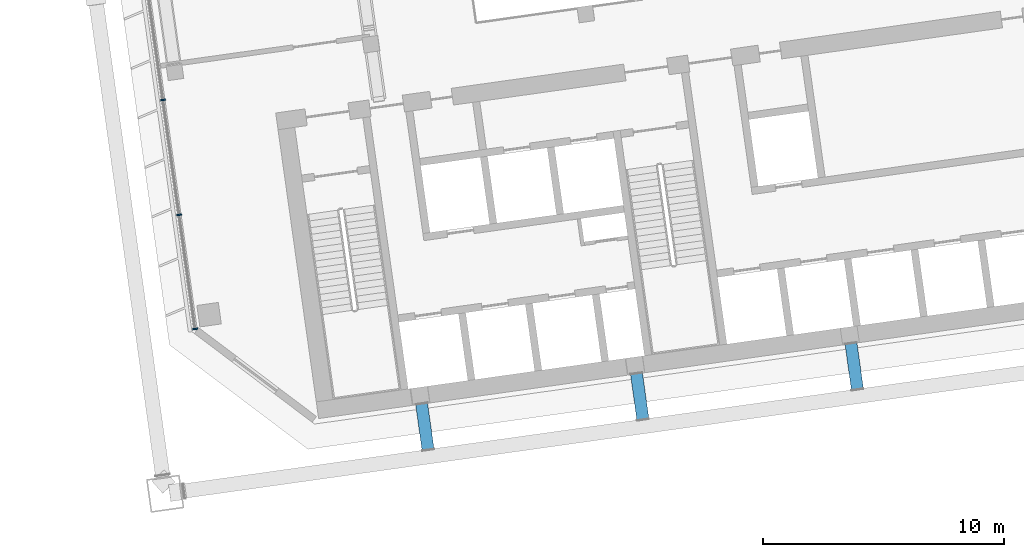
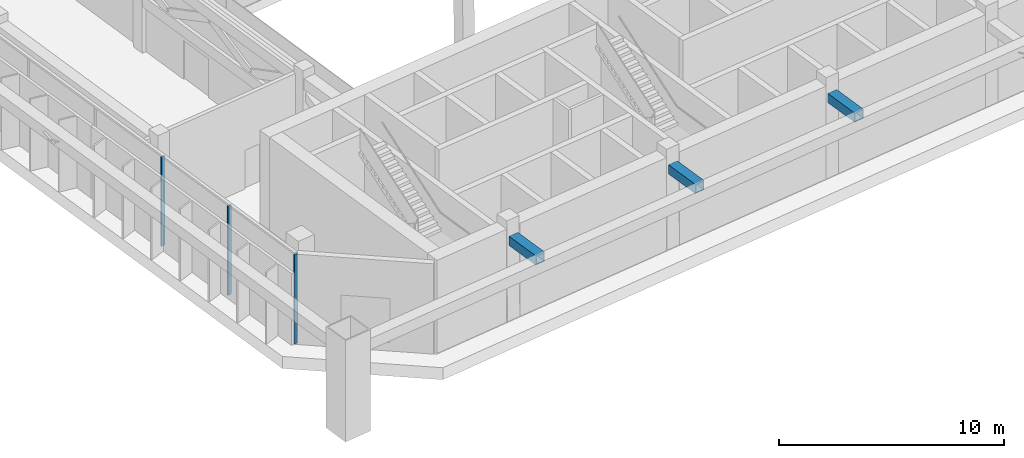
# One storey, part 12 of 41: 6 members, 1 element without a shape of its own.
"""IFC4 building model written with IfcOpenShell, lengths in metres."""

from ifc_helpers import new_model, si_unit, direction, frame, origin, origin_2d, place, context, subcontext, project, spatial, rectangle, hollow_rectangle, extrude, material, material_profile, profile_set, type_object, element, aggregate, save


model = new_model("IFC4")

# Units and contexts
model_context = context("Model", 3, precision=1e-05, world=origin(), true_north=direction((0.0, 1.0)))
body_context = subcontext(model_context, "Body", "Model", "MODEL_VIEW")
ifc_project = project(units=[si_unit("LENGTHUNIT", "METRE"), si_unit("AREAUNIT", "SQUARE_METRE"), si_unit("VOLUMEUNIT", "CUBIC_METRE"), si_unit("PLANEANGLEUNIT", "RADIAN"), si_unit("MASSUNIT", "GRAM", prefix="KILO")], contexts=[model_context])

# Site, building, storey
site_placement = place(None, origin())
site = spatial("IfcSite", under=ifc_project, at=site_placement, CompositionType="ELEMENT")
building_placement = place(site_placement, origin())
building = spatial("IfcBuilding", under=site, at=building_placement, Name="Mirante Cascada Hotel Towers", CompositionType="ELEMENT")
storey_placement = place(building_placement, frame((0.0, 0.0, 151.9)))
storey = spatial("IfcBuildingStorey", under=building, at=storey_placement, Name="L35", CompositionType="ELEMENT", Elevation=151.9)

# Members
ifc_material_1 = material(Name="Steel ASTM A572 Gr 50", Category="steel")
ifc_material_profile_1 = material_profile(ifc_material_1, hollow_rectangle(XDim=0.5, YDim=0.5, WallThickness=0.035, at=origin_2d()), Name="Box tie 500x500x35 ASTM A572 Gr 50")
ifc_profile_set_1 = profile_set([ifc_material_profile_1], Name="Steel ASTM A572 Gr 50")
member_type_1 = type_object("IfcMemberType", Name="Box tie 500x500x35 ASTM A572 Gr 50", PredefinedType="STRUT", material=ifc_profile_set_1)
member_1_placement = place(storey_placement, frame((41.5409, -19.3426, 4.35), z_axis=(0.1391766, -0.9902676, 0.0), x_axis=(0.9902676, 0.1391766, 0.0)))
element("IfcMember", 1, at=member_1_placement, inside=storey, type_object=member_type_1, Name="tie T2 L35 2", PredefinedType="STRUT", context=body_context, shape_type="SweptSolid", body=[
    extrude(hollow_rectangle(XDim=0.5, YDim=0.5, WallThickness=0.035, at=origin_2d()), origin(), (0.0, 0.0, 1.0), 1.94),
])
member_2_placement = place(storey_placement, frame((50.4534, -18.09, 4.35), z_axis=(0.139119, -0.9902757, 0.0), x_axis=(0.9902757, 0.139119, 0.0)))
element("IfcMember", 2, at=member_2_placement, inside=storey, type_object=member_type_1, Name="tie T2 L35 4", PredefinedType="STRUT", context=body_context, shape_type="SweptSolid", body=[
    extrude(hollow_rectangle(XDim=0.5, YDim=0.5, WallThickness=0.035, at=origin_2d()), origin(), (0.0, 0.0, 1.0), 1.9401),
])
member_3_placement = place(storey_placement, frame((59.3509, -16.8396, 4.35), z_axis=(0.1391766, -0.9902676, 0.0), x_axis=(0.9902676, 0.1391766, 0.0)))
element("IfcMember", 3, at=member_3_placement, inside=storey, type_object=member_type_1, Name="tie T2 L35 6", PredefinedType="STRUT", context=body_context, shape_type="SweptSolid", body=[
    extrude(hollow_rectangle(XDim=0.5, YDim=0.5, WallThickness=0.035, at=origin_2d()), origin(), (0.0, 0.0, 1.0), 1.94),
])

# Curtain wall, members
ifc_material_2 = material(Name="Aluminium mullion and transom frame with clear laminated glass", Category="aluminium")
curtain_wall_type = type_object("IfcCurtainWallType", Name="End ribbon curtain wall ECW2", PredefinedType="NOTDEFINED", material=ifc_material_2)
curtain_wall_placement = place(storey_placement, origin())
curtain_wall = element("IfcCurtainWall", 4, at=curtain_wall_placement, inside=storey, type_object=curtain_wall_type, Name="Inner end wall T2 L35", PredefinedType="NOTDEFINED")
ifc_material_3 = material(Name="Anodised aluminium extrusion", Category="aluminium")
ifc_material_profile_2 = material_profile(ifc_material_3, rectangle(XDim=0.2, YDim=0.065, at=origin_2d()), Name="ECW2 MULLION 65x200")
ifc_profile_set_2 = profile_set([ifc_material_profile_2], Name="Anodised aluminium extrusion")
member_type_2 = type_object("IfcMemberType", Name="ECW2 mullion 65x200", PredefinedType="MULLION", material=ifc_profile_set_2)
member_4_placement = place(storey_placement, frame((30.8183, -6.7449, 0.1), z_axis=(0.0, 0.0, 1.0), x_axis=(0.9902681, 0.1391731, 0.0)))
member_4 = element("IfcMember", 5, at=member_4_placement, type_object=member_type_2, Name="ECW2 mullion 5", PredefinedType="MULLION", context=body_context, shape_type="SweptSolid", body=[
    extrude(rectangle(XDim=0.2, YDim=0.065, at=origin_2d()), origin(), (0.0, 0.0, 1.0), 4.85),
])
member_5_placement = place(storey_placement, frame((31.4881, -11.5107, 0.1), z_axis=(0.0, 0.0, 1.0), x_axis=(0.9902681, 0.1391731, 0.0)))
member_5 = element("IfcMember", 6, at=member_5_placement, type_object=member_type_2, Name="ECW2 mullion 6", PredefinedType="MULLION", context=body_context, shape_type="SweptSolid", body=[
    extrude(rectangle(XDim=0.2, YDim=0.065, at=origin_2d()), origin(), (0.0, 0.0, 1.0), 4.85),
])
member_6_placement = place(storey_placement, frame((32.1534, -16.2443, 0.1), z_axis=(0.0, 0.0, 1.0), x_axis=(0.9902681, 0.1391731, 0.0)))
member_6 = element("IfcMember", 7, at=member_6_placement, type_object=member_type_2, Name="ECW2 mullion 7", PredefinedType="MULLION", context=body_context, shape_type="SweptSolid", body=[
    extrude(rectangle(XDim=0.2, YDim=0.065, at=origin_2d()), origin(), (0.0, 0.0, 1.0), 4.85),
])
aggregate(curtain_wall, [member_4, member_5, member_6])

save(model, "model.ifc")
